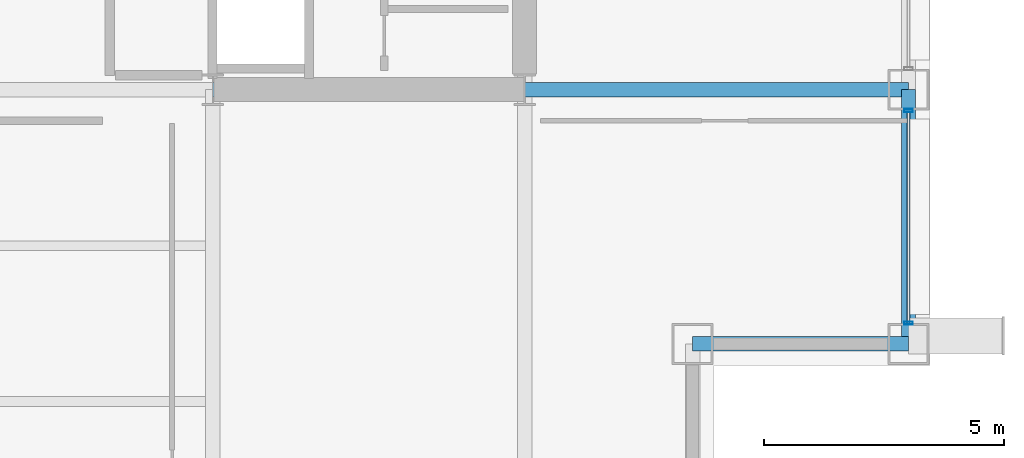
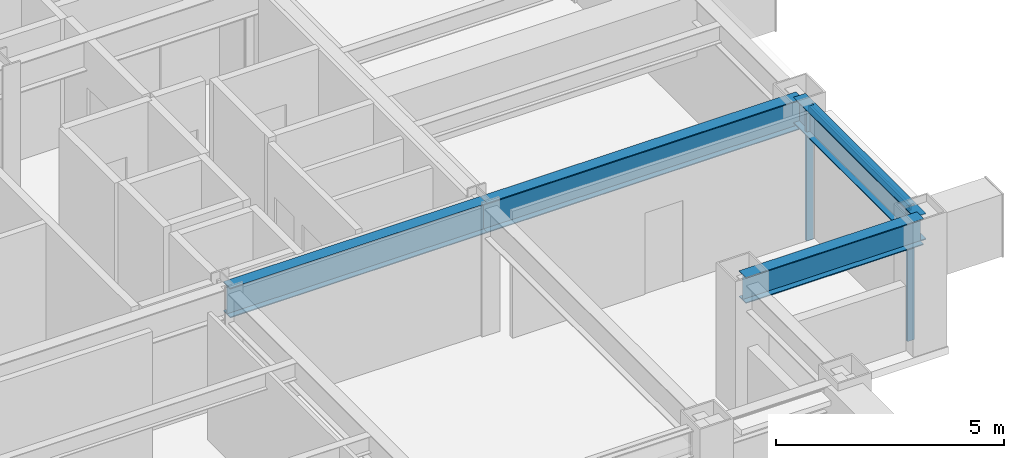
# One storey, part 11 of 28: 4 beams, 3 members, 1 element without a shape of its own.
"""IFC4 building model written with IfcOpenShell, lengths in metres."""

from ifc_helpers import new_model, si_unit, direction, frame, origin, origin_2d, place, context, subcontext, project, spatial, hollow_rectangle, i_section, extrude, material, layer, layer_set, material_profile, profile_set, type_object, element, aggregate, save


model = new_model("IFC4")

# Units and contexts
model_context = context("Model", 3, precision=1e-05, world=origin(), true_north=direction((0.0, 1.0)))
body_context = subcontext(model_context, "Body", "Model", "MODEL_VIEW")
ifc_project = project(units=[si_unit("LENGTHUNIT", "METRE"), si_unit("AREAUNIT", "SQUARE_METRE"), si_unit("VOLUMEUNIT", "CUBIC_METRE"), si_unit("PLANEANGLEUNIT", "RADIAN"), si_unit("MASSUNIT", "GRAM", prefix="KILO")], contexts=[model_context])

# Site, building, storey
site_placement = place(None, origin())
site = spatial("IfcSite", under=ifc_project, at=site_placement, CompositionType="ELEMENT")
building_placement = place(site_placement, origin())
building = spatial("IfcBuilding", under=site, at=building_placement, Name="Brelmoor Portico Tower", CompositionType="ELEMENT")
storey_placement = place(building_placement, frame((0.0, 0.0, 91.800048828125)))
storey = spatial("IfcBuildingStorey", under=building, at=storey_placement, Name="L23", CompositionType="ELEMENT", Elevation=91.800048828125)

# Beams
ifc_material_1 = material(Name="Steel Q355B", Category="steel")
ifc_material_profile_1 = material_profile(ifc_material_1, i_section(OverallWidth=0.300048828125, OverallDepth=0.800048828125, WebThickness=0.013916015625, FlangeThickness=0.02587890625, at=origin_2d()), Name="HN 800x300x14x26")
ifc_profile_set_1 = profile_set([ifc_material_profile_1], Name="Steel Q355B")
beam_type_1 = type_object("IfcBeamType", Name="BM-PG-800", PredefinedType="BEAM", material=ifc_profile_set_1)
beam_1_placement = place(storey_placement, frame((8.050048828125, -9.75, 3.0), z_axis=(1.0, 0.0, 0.0), x_axis=(0.0, 1.0, 0.0)))
element("IfcBeam", 1, at=beam_1_placement, inside=storey, type_object=beam_type_1, Name="L23 Primary Floor Girder PG-16", PredefinedType="BEAM", context=body_context, shape_type="SweptSolid", body=[
    extrude(i_section(OverallWidth=0.300048828125, OverallDepth=0.800048828125, WebThickness=0.013916015625, FlangeThickness=0.02587890625, at=origin_2d()), origin(), (0.0, 0.0, 1.0), 6.5),
])
beam_2_placement = place(storey_placement, frame((14.550048828125, -9.75, 3.0), z_axis=(1.0, 0.0, 0.0), x_axis=(0.0, 1.0, 0.0)))
element("IfcBeam", 2, at=beam_2_placement, inside=storey, type_object=beam_type_1, Name="L23 Primary Floor Girder PG-17", PredefinedType="BEAM", context=body_context, shape_type="SweptSolid", body=[
    extrude(i_section(OverallWidth=0.300048828125, OverallDepth=0.800048828125, WebThickness=0.013916015625, FlangeThickness=0.02587890625, at=origin_2d()), origin(), (0.0, 0.0, 1.0), 8.0),
])
ifc_material_profile_2 = material_profile(ifc_material_1, i_section(OverallWidth=0.300048828125, OverallDepth=0.699951171875, WebThickness=0.012939453125, FlangeThickness=0.02392578125, at=origin_2d()), Name="HN 700x300x13x24")
ifc_profile_set_2 = profile_set([ifc_material_profile_2], Name="Steel Q355B")
beam_type_2 = type_object("IfcBeamType", Name="BM-SP-700", PredefinedType="SPANDREL", material=ifc_profile_set_2)
beam_3_placement = place(storey_placement, frame((18.050048828125, -15.050048828125, 3.050048828125), z_axis=(1.0, 0.0, 0.0), x_axis=(0.0, 1.0, 0.0)))
element("IfcBeam", 3, at=beam_3_placement, inside=storey, type_object=beam_type_2, Name="L23 Perimeter Spandrel Beam SP-07", PredefinedType="SPANDREL", context=body_context, shape_type="SweptSolid", body=[
    extrude(i_section(OverallWidth=0.300048828125, OverallDepth=0.699951171875, WebThickness=0.012939453125, FlangeThickness=0.02392578125, at=origin_2d()), origin(), (0.0, 0.0, 1.0), 4.5),
])
beam_4_placement = place(storey_placement, frame((22.550048828125, -15.050048828125, 3.050048828125), z_axis=(0.0, 1.0, 0.0), x_axis=(-1.0, 0.0, 0.0)))
element("IfcBeam", 4, at=beam_4_placement, inside=storey, type_object=beam_type_2, Name="L23 Perimeter Spandrel Beam SP-22", PredefinedType="SPANDREL", context=body_context, shape_type="SweptSolid", body=[
    extrude(i_section(OverallWidth=0.300048828125, OverallDepth=0.699951171875, WebThickness=0.012939453125, FlangeThickness=0.02392578125, at=origin_2d()), origin(), (0.0, 0.0, 1.0), 5.300048828125),
])

# Curtain wall, members
ifc_material_2 = material(Name="Anodised Aluminium Alloy 6063-T6", Category="aluminium")
ifc_layer = layer(ifc_material_2, 0.179931640625)
ifc_layer_set = layer_set([ifc_layer], Name="Anodised Aluminium Alloy 6063-T6")
curtain_wall_type = type_object("IfcCurtainWallType", Name="CW-TOWER-Z2-XB", PredefinedType="NOTDEFINED", material=ifc_layer_set)
curtain_wall_placement = place(storey_placement, origin())
curtain_wall = element("IfcCurtainWall", 5, at=curtain_wall_placement, inside=storey, type_object=curtain_wall_type, Name="L23 Curtain Wall CW-L23-04-1", PredefinedType="NOTDEFINED")
ifc_material_profile_3 = material_profile(ifc_material_2, hollow_rectangle(XDim=0.06494140625, YDim=0.179931640625, WallThickness=0.00390625, at=origin_2d()), Name="ALU MULLION 65x180")
ifc_profile_set_3 = profile_set([ifc_material_profile_3], Name="Anodised Aluminium Alloy 6063-T6")
member_type_1 = type_object("IfcMemberType", Name="MB-CW-MULL-180", PredefinedType="MULLION", material=ifc_profile_set_3)
member_1_placement = place(storey_placement, frame((22.550048828125, -14.614990234375, -0.199951171875), z_axis=(0.0, 0.0, 1.0), x_axis=(0.0, 1.0, 0.0)))
member_1 = element("IfcMember", 6, at=member_1_placement, type_object=member_type_1, Name="CW-L23-04-1 Mullion 00", PredefinedType="MULLION", context=body_context, shape_type="SweptSolid", body=[
    extrude(hollow_rectangle(XDim=0.06494140625, YDim=0.179931640625, WallThickness=0.00390625, at=origin_2d()), origin(), (0.0, 0.0, 1.0), 3.599853515625),
])
member_2_placement = place(storey_placement, frame((22.550048828125, -10.18505859375, -0.199951171875), z_axis=(0.0, 0.0, 1.0), x_axis=(0.0, 1.0, 0.0)))
member_2 = element("IfcMember", 7, at=member_2_placement, type_object=member_type_1, Name="CW-L23-04-1 Mullion 01", PredefinedType="MULLION", context=body_context, shape_type="SweptSolid", body=[
    extrude(hollow_rectangle(XDim=0.06494140625, YDim=0.179931640625, WallThickness=0.00390625, at=origin_2d()), origin(), (0.0, 0.0, 1.0), 3.599853515625),
])
ifc_material_profile_4 = material_profile(ifc_material_2, hollow_rectangle(XDim=0.06494140625, YDim=0.139892578125, WallThickness=0.00390625, at=origin_2d()), Name="ALU TRANSOM 65x140")
ifc_profile_set_4 = profile_set([ifc_material_profile_4], Name="Anodised Aluminium Alloy 6063-T6")
member_type_2 = type_object("IfcMemberType", Name="MB-CW-TRAN-140", PredefinedType="USERDEFINED", material=ifc_profile_set_4)
member_3_placement = place(storey_placement, frame((22.550048828125, -14.614990234375, 3.329833984375), z_axis=(0.0, 1.0, 0.0), x_axis=(-1.0, 0.0, 0.0)))
member_3 = element("IfcMember", 8, at=member_3_placement, type_object=member_type_2, Name="CW-L23-04-1 Transom 1-00", ObjectType="TRANSOM", PredefinedType="USERDEFINED", context=body_context, shape_type="SweptSolid", body=[
    extrude(hollow_rectangle(XDim=0.06494140625, YDim=0.139892578125, WallThickness=0.00390625, at=origin_2d()), origin(), (0.0, 0.0, 1.0), 4.429931640625),
])
aggregate(curtain_wall, [member_1, member_2, member_3])

save(model, "model.ifc")
